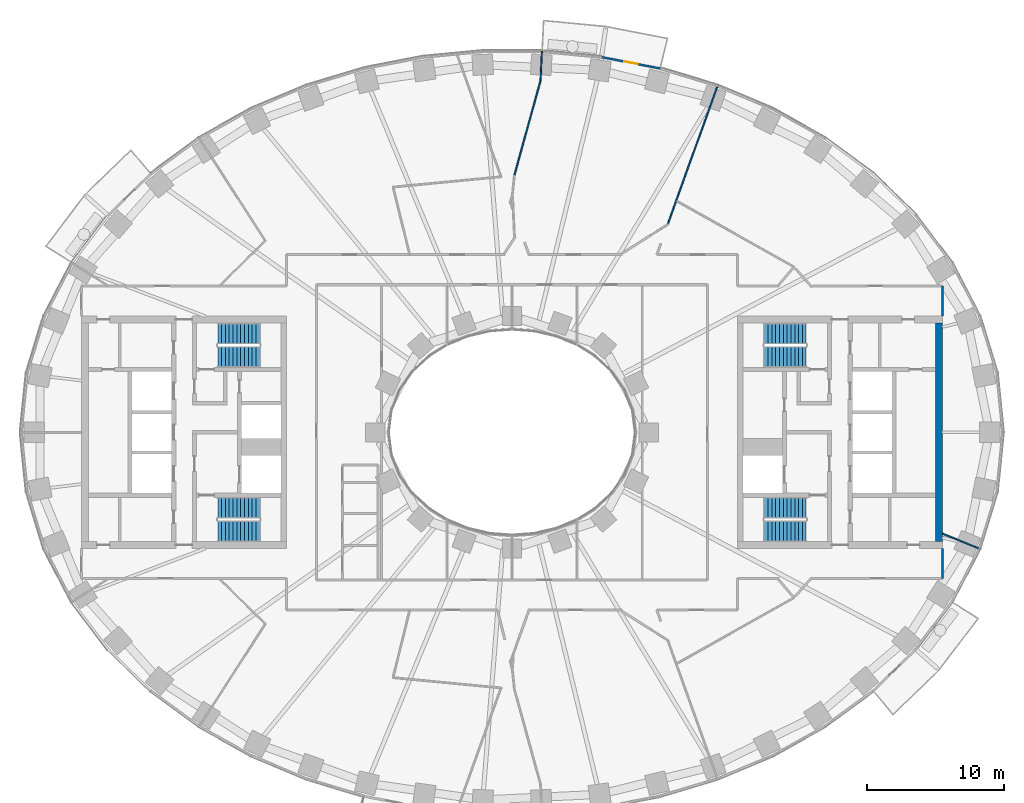
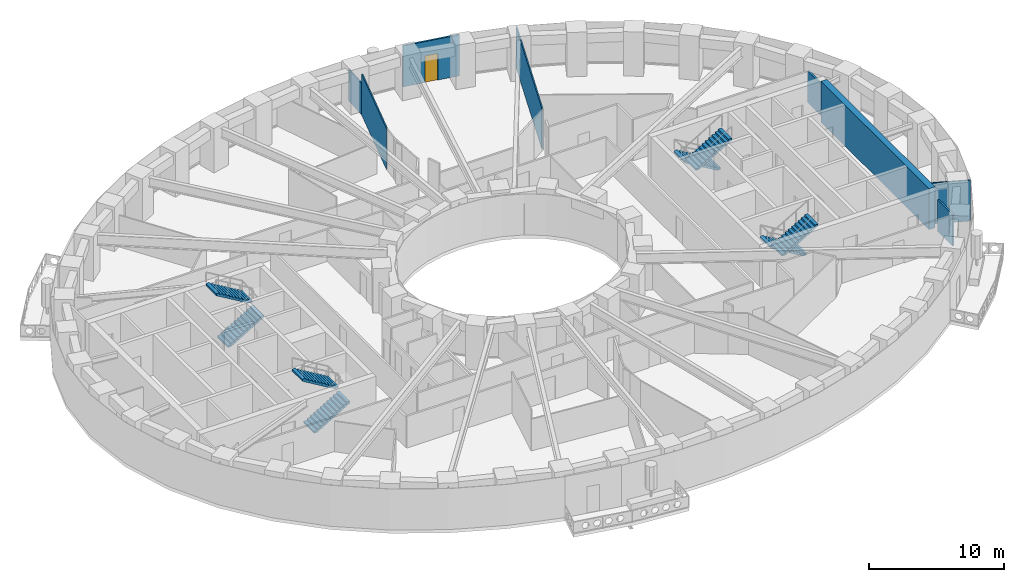
# One storey, part 7 of 16: 8 stair flights, 8 walls, 1 door, 1 opening, 4 elements without a shape of their own.
"""IFC4 building model written with IfcOpenShell, lengths in metres."""

from ifc_helpers import new_model, si_unit, direction, frame, frame_2d, origin, place, context, subcontext, project, spatial, polyline, rectangle, outline, extrude, material, layer, layer_set, type_object, element, fill, aggregate, save


model = new_model("IFC4")

# Units and contexts
model_context = context("Model", 3, precision=1e-05, world=origin(), true_north=direction((0.0, 1.0)))
body_context = subcontext(model_context, "Body", "Model", "MODEL_VIEW")
ifc_project = project(units=[si_unit("LENGTHUNIT", "METRE"), si_unit("AREAUNIT", "SQUARE_METRE"), si_unit("VOLUMEUNIT", "CUBIC_METRE"), si_unit("PLANEANGLEUNIT", "RADIAN"), si_unit("MASSUNIT", "GRAM", prefix="KILO")], contexts=[model_context])

# Site, building, storey
site_placement = place(None, origin())
site = spatial("IfcSite", under=ifc_project, at=site_placement, CompositionType="ELEMENT")
building_placement = place(site_placement, origin())
building = spatial("IfcBuilding", under=site, at=building_placement, Name="Noorbagh Ring Tower", CompositionType="ELEMENT")
storey_placement = place(building_placement, frame((0.0, 0.0, 46.5)))
storey = spatial("IfcBuildingStorey", under=building, at=storey_placement, Name="L09", CompositionType="ELEMENT", Elevation=46.5)

# Walls
ifc_material_1 = material(Name="Concrete C70/85", Category="concrete")
ifc_layer_1 = layer(ifc_material_1, 0.5)
ifc_layer_set_1 = layer_set([ifc_layer_1], Name="Concrete C70/85")
wall_type_1 = type_object("IfcWallType", Name="CORE-WALL-500-C70-85-EI240", PredefinedType="SHEAR", material=ifc_layer_set_1)
wall_1_placement = place(storey_placement, frame((31.25, -8.0, 0.0), z_axis=(0.0, 0.0, 1.0), x_axis=(0.0, 1.0, 0.0)))
element("IfcWall", 1, at=wall_1_placement, inside=storey, type_object=wall_type_1, Name="Core wall E", PredefinedType="SHEAR", context=body_context, shape_type="SweptSolid", body=[
    extrude(rectangle(XDim=16.0, YDim=0.5, at=frame_2d((8.0, 0.0))), origin(), (0.0, 0.0, 1.0), 3.699951171875),
])
ifc_material_2 = material(Name="Gypsum board on steel studs", Category="steel")
ifc_layer_2 = layer(ifc_material_2, 0.14990234375)
ifc_layer_set_2 = layer_set([ifc_layer_2], Name="Gypsum board on steel studs")
wall_type_2 = type_object("IfcWallType", Name="CORRIDOR PARTITION 150 EI 30", PredefinedType="PARTITIONING", material=ifc_layer_set_2)
for number, where, z_axis, x_axis, name in (
    (2, (31.5, -10.699951171875, 0.0), (0.0, 0.0, 1.0), (0.0, 1.0, 0.0), "L09/wall/P84"),
    (3, (31.5, 8.5, 0.0), (0.0, 0.0, 1.0), (0.0, 1.0, 0.0), "L09/wall/P86"),
):
    element("IfcWall", number, at=place(storey_placement, frame(where, z_axis=z_axis, x_axis=x_axis)), inside=storey, type_object=wall_type_2, Name=name, PredefinedType="PARTITIONING", context=body_context, shape_type="SweptSolid", body=[
        extrude(rectangle(XDim=2.199951171875, YDim=0.14990234375, at=frame_2d((1.10009765625, 0.0))), origin(), (0.0, 0.0, 1.0), 2.85009765625),
    ])

# Wall, opening, door
ifc_material_3 = material(Name="Insulated aluminium clad panel", Category="aluminium")
ifc_layer_3 = layer(ifc_material_3, 0.14990234375)
ifc_layer_set_3 = layer_set([ifc_layer_3], Name="Insulated aluminium clad panel")
wall_type_3 = type_object("IfcWallType", Name="ENV-WALL-DOOR", PredefinedType="STANDARD", material=ifc_layer_set_3)
wall_2_placement = place(storey_placement, frame((10.87060546875, 26.616943359375, 0.0), z_axis=(0.0, 0.0, 1.0), x_axis=(-0.981631174778, 0.190788460615, 0.0)))
wall_2 = element("IfcWall", 4, at=wall_2_placement, inside=storey, type_object=wall_type_3, Name="Balcony door wall chord 10", PredefinedType="STANDARD", context=body_context, shape_type="SweptSolid", body=[
    extrude(rectangle(XDim=4.42626953125, YDim=0.14990234375, at=frame_2d((2.213134765625, 0.0))), origin(), (0.0, 0.0, 1.0), 3.699951171875),
])
opening_placement = place(wall_2_placement, frame((1.713134765625, 0.0, 0.0)))
opening = element("IfcOpeningElement", 5, at=opening_placement, cuts=wall_2, Name="Opening D-BL", PredefinedType="OPENING", context=body_context, shape_type="SweptSolid", body=[
    extrude(rectangle(XDim=1.0, YDim=2.39990234375, at=frame_2d((0.5, 1.199951171875))), frame((0.0, 0.0849609375, 0.0), z_axis=(0.0, -1.0, 0.0), x_axis=(1.0, 0.0, 0.0)), (0.0, 0.0, 1.0), 0.169921875),
])
ifc_material_4 = material(Name="Aluminium and glass", Category="aluminium")
door_type = type_object("IfcDoorType", Name="ENV-DOOR-BALCONY", OperationType="SINGLE_SWING_LEFT", PredefinedType="DOOR", material=ifc_material_4)
door_placement = place(opening_placement, origin())
door = element("IfcDoor", 6, at=door_placement, inside=storey, type_object=door_type, Name="Balcony door chord 10", OperationType="SINGLE_SWING_RIGHT", OverallHeight=2.39990234375, OverallWidth=1.0, PredefinedType="DOOR", context=body_context, shape_type="SweptSolid", body=[
    extrude(rectangle(XDim=1.0, YDim=2.39990234375, at=frame_2d((0.5, 1.199951171875))), frame((0.0, 0.02490234375, 0.0), z_axis=(0.0, -1.0, 0.0), x_axis=(1.0, 0.0, 0.0)), (0.0, 0.0, 1.0), 0.050048828125),
])
fill(opening, door)

# Walls
ifc_material_5 = material(Name="Gypsum board on steel studs", Category="steel")
ifc_layer_4 = layer(ifc_material_5, 0.10009765625)
ifc_layer_set_4 = layer_set([ifc_layer_4], Name="Gypsum board on steel studs")
wall_type_4 = type_object("IfcWallType", Name="PARTITION 100 GYPSUM", PredefinedType="PARTITIONING", material=ifc_layer_set_4)
wall_3_placement = place(storey_placement, frame((0.172119140625, 18.7958984375, 0.0), z_axis=(0.0, 0.0, 1.0), x_axis=(0.265628515821, 0.964075459486, 0.0)))
element("IfcWall", 7, at=wall_3_placement, inside=storey, type_object=wall_type_4, Name="L09/wall/P51", PredefinedType="PARTITIONING", context=body_context, shape_type="SweptSolid", body=[
    extrude(rectangle(XDim=7.212158203125, YDim=0.10009765625, at=frame_2d((3.60595703125, 0.0))), origin(), (0.0, 0.0, 1.0), 3.699951171875),
])
wall_4_placement = place(storey_placement, frame((2.089111328125, 25.77001953125, 0.0), z_axis=(0.0, 0.0, 1.0), x_axis=(0.04733101585, 0.99887925944, 0.0)))
element("IfcWall", 8, at=wall_4_placement, inside=storey, type_object=wall_type_4, Name="L09/wall/P57", PredefinedType="PARTITIONING", context=body_context, shape_type="SweptSolid", body=[
    extrude(rectangle(XDim=2.13037109375, YDim=0.10009765625, at=frame_2d((1.065185546875, 0.0))), origin(), (0.0, 0.0, 1.0), 2.85009765625),
])
wall_5_placement = place(storey_placement, frame((11.4169921875, 15.281982421875, 0.0), z_axis=(0.0, 0.0, 1.0), x_axis=(0.338283704349, 0.941044172912, 0.0)))
element("IfcWall", 9, at=wall_5_placement, inside=storey, type_object=wall_type_4, Name="L09/wall/P70", PredefinedType="PARTITIONING", context=body_context, shape_type="SweptSolid", body=[
    extrude(rectangle(XDim=10.73388671875, YDim=0.10009765625, at=frame_2d((5.366943359375, 0.0))), origin(), (0.0, 0.0, 1.0), 3.699951171875),
])
wall_6_placement = place(storey_placement, frame((31.5, -7.409912109375, 0.0), z_axis=(0.0, 0.0, 1.0), x_axis=(0.925344112436, -0.379128307542, 0.0)))
element("IfcWall", 10, at=wall_6_placement, inside=storey, type_object=wall_type_4, Name="L09/wall/P85", PredefinedType="PARTITIONING", context=body_context, shape_type="SweptSolid", body=[
    extrude(rectangle(XDim=2.954345703125, YDim=0.10009765625, at=frame_2d((1.47705078125, 0.0))), origin(), (0.0, 0.0, 1.0), 3.699951171875),
])

# Stair, stair flights
ifc_material_6 = material(Name="Concrete C40/50", Category="concrete")
stair_type = type_object("IfcStairType", Name="CORE-STAIR", PredefinedType="HALF_TURN_STAIR", material=ifc_material_6)
stair_1_placement = place(storey_placement, origin())
stair_1 = element("IfcStair", 11, at=stair_1_placement, inside=storey, type_object=stair_type, Name="L09 Exit stair ST1", PredefinedType="HALF_TURN_STAIR")
ifc_material_7 = material(Name="Concrete C40/50", Category="concrete")
stair_flight_type = type_object("IfcStairFlightType", Name="CORE-STAIR-FLIGHT", PredefinedType="STRAIGHT", material=ifc_material_7)
stair_flight_1_placement = place(storey_placement, frame((-21.530029296875, 5.52490234375, 0.0), z_axis=(0.0, 0.0, 1.0), x_axis=(1.0, 0.0, 0.0)))
stair_flight_1 = element("IfcStairFlight", 12, at=stair_flight_1_placement, type_object=stair_flight_type, Name="ST1 flight 1", NumberOfRisers=12, NumberOfTreads=11, PredefinedType="STRAIGHT", RiserHeight=0.166666667, TreadLength=0.28, context=body_context, shape_type="SweptSolid", body=[
    extrude(outline(polyline([(0.0, 0.0), (0.0, 0.166748046875), (0.280029296875, 0.166748046875), (0.280029296875, 0.333251953125), (0.56005859375, 0.333251953125), (0.56005859375, 0.5), (0.840087890625, 0.5), (0.840087890625, 0.666748046875), (1.1201171875, 0.666748046875), (1.1201171875, 0.833251953125), (1.39990234375, 0.833251953125), (1.39990234375, 1.0), (1.679931640625, 1.0), (1.679931640625, 1.166748046875), (1.9599609375, 1.166748046875), (1.9599609375, 1.333251953125), (2.239990234375, 1.333251953125), (2.239990234375, 1.5), (2.52001953125, 1.5), (2.52001953125, 1.666748046875), (2.800048828125, 1.666748046875), (2.800048828125, 1.833251953125), (3.080078125, 1.833251953125), (3.080078125, 2.0), (3.080078125, 1.658935546875), (0.29296875, 0.0), (0.0, 0.0)])), frame((0.0, 0.77490234375, 0.0), z_axis=(0.0, -1.0, 0.0), x_axis=(1.0, 0.0, 0.0)), (0.0, 0.0, 1.0), 1.550048828125),
])
stair_flight_2_placement = place(storey_placement, frame((-18.449951171875, 7.22509765625, 2.0), z_axis=(0.0, 0.0, 1.0), x_axis=(-1.0, 0.0, 0.0)))
stair_flight_2 = element("IfcStairFlight", 13, at=stair_flight_2_placement, type_object=stair_flight_type, Name="ST1 flight 2", NumberOfRisers=12, NumberOfTreads=11, PredefinedType="STRAIGHT", RiserHeight=0.166666667, TreadLength=0.28, context=body_context, shape_type="SweptSolid", body=[
    extrude(outline(polyline([(0.0, 0.0), (0.0, 0.166748046875), (0.280029296875, 0.166748046875), (0.280029296875, 0.333251953125), (0.56005859375, 0.333251953125), (0.56005859375, 0.5), (0.840087890625, 0.5), (0.840087890625, 0.666748046875), (1.1201171875, 0.666748046875), (1.1201171875, 0.833251953125), (1.39990234375, 0.833251953125), (1.39990234375, 1.0), (1.679931640625, 1.0), (1.679931640625, 1.166748046875), (1.9599609375, 1.166748046875), (1.9599609375, 1.333251953125), (2.239990234375, 1.333251953125), (2.239990234375, 1.5), (2.52001953125, 1.5), (2.52001953125, 1.666748046875), (2.800048828125, 1.666748046875), (2.800048828125, 1.833251953125), (3.080078125, 1.833251953125), (3.080078125, 2.0), (3.080078125, 1.658935546875), (0.29296875, 0.0), (0.0, 0.0)])), frame((0.0, 0.77490234375, 0.0), z_axis=(0.0, -1.0, 0.0), x_axis=(1.0, 0.0, 0.0)), (0.0, 0.0, 1.0), 1.550048828125),
])
aggregate(stair_1, [stair_flight_1, stair_flight_2])

stair_2_placement = place(storey_placement, origin())
stair_2 = element("IfcStair", 14, at=stair_2_placement, inside=storey, type_object=stair_type, Name="L09 Exit stair ST2", PredefinedType="HALF_TURN_STAIR")
stair_flight_3_placement = place(storey_placement, frame((-21.530029296875, -7.22509765625, 0.0), z_axis=(0.0, 0.0, 1.0), x_axis=(1.0, 0.0, 0.0)))
stair_flight_3 = element("IfcStairFlight", 15, at=stair_flight_3_placement, type_object=stair_flight_type, Name="ST2 flight 1", NumberOfRisers=12, NumberOfTreads=11, PredefinedType="STRAIGHT", RiserHeight=0.166666667, TreadLength=0.28, context=body_context, shape_type="SweptSolid", body=[
    extrude(outline(polyline([(0.0, 0.0), (0.0, 0.166748046875), (0.280029296875, 0.166748046875), (0.280029296875, 0.333251953125), (0.56005859375, 0.333251953125), (0.56005859375, 0.5), (0.840087890625, 0.5), (0.840087890625, 0.666748046875), (1.1201171875, 0.666748046875), (1.1201171875, 0.833251953125), (1.39990234375, 0.833251953125), (1.39990234375, 1.0), (1.679931640625, 1.0), (1.679931640625, 1.166748046875), (1.9599609375, 1.166748046875), (1.9599609375, 1.333251953125), (2.239990234375, 1.333251953125), (2.239990234375, 1.5), (2.52001953125, 1.5), (2.52001953125, 1.666748046875), (2.800048828125, 1.666748046875), (2.800048828125, 1.833251953125), (3.080078125, 1.833251953125), (3.080078125, 2.0), (3.080078125, 1.658935546875), (0.29296875, 0.0), (0.0, 0.0)])), frame((0.0, 0.77490234375, 0.0), z_axis=(0.0, -1.0, 0.0), x_axis=(1.0, 0.0, 0.0)), (0.0, 0.0, 1.0), 1.550048828125),
])
stair_flight_4_placement = place(storey_placement, frame((-18.449951171875, -5.52490234375, 2.0), z_axis=(0.0, 0.0, 1.0), x_axis=(-1.0, 0.0, 0.0)))
stair_flight_4 = element("IfcStairFlight", 16, at=stair_flight_4_placement, type_object=stair_flight_type, Name="ST2 flight 2", NumberOfRisers=12, NumberOfTreads=11, PredefinedType="STRAIGHT", RiserHeight=0.166666667, TreadLength=0.28, context=body_context, shape_type="SweptSolid", body=[
    extrude(outline(polyline([(0.0, 0.0), (0.0, 0.166748046875), (0.280029296875, 0.166748046875), (0.280029296875, 0.333251953125), (0.56005859375, 0.333251953125), (0.56005859375, 0.5), (0.840087890625, 0.5), (0.840087890625, 0.666748046875), (1.1201171875, 0.666748046875), (1.1201171875, 0.833251953125), (1.39990234375, 0.833251953125), (1.39990234375, 1.0), (1.679931640625, 1.0), (1.679931640625, 1.166748046875), (1.9599609375, 1.166748046875), (1.9599609375, 1.333251953125), (2.239990234375, 1.333251953125), (2.239990234375, 1.5), (2.52001953125, 1.5), (2.52001953125, 1.666748046875), (2.800048828125, 1.666748046875), (2.800048828125, 1.833251953125), (3.080078125, 1.833251953125), (3.080078125, 2.0), (3.080078125, 1.658935546875), (0.29296875, 0.0), (0.0, 0.0)])), frame((0.0, 0.77490234375, 0.0), z_axis=(0.0, -1.0, 0.0), x_axis=(1.0, 0.0, 0.0)), (0.0, 0.0, 1.0), 1.550048828125),
])
aggregate(stair_2, [stair_flight_3, stair_flight_4])

stair_3_placement = place(storey_placement, origin())
stair_3 = element("IfcStair", 17, at=stair_3_placement, inside=storey, type_object=stair_type, Name="L09 Exit stair ST3", PredefinedType="HALF_TURN_STAIR")
stair_flight_5_placement = place(storey_placement, frame((21.530029296875, 7.22509765625, 0.0), z_axis=(0.0, 0.0, 1.0), x_axis=(-1.0, 0.0, 0.0)))
stair_flight_5 = element("IfcStairFlight", 18, at=stair_flight_5_placement, type_object=stair_flight_type, Name="ST3 flight 1", NumberOfRisers=12, NumberOfTreads=11, PredefinedType="STRAIGHT", RiserHeight=0.166666667, TreadLength=0.28, context=body_context, shape_type="SweptSolid", body=[
    extrude(outline(polyline([(0.0, 0.0), (0.0, 0.166748046875), (0.280029296875, 0.166748046875), (0.280029296875, 0.333251953125), (0.56005859375, 0.333251953125), (0.56005859375, 0.5), (0.840087890625, 0.5), (0.840087890625, 0.666748046875), (1.1201171875, 0.666748046875), (1.1201171875, 0.833251953125), (1.39990234375, 0.833251953125), (1.39990234375, 1.0), (1.679931640625, 1.0), (1.679931640625, 1.166748046875), (1.9599609375, 1.166748046875), (1.9599609375, 1.333251953125), (2.239990234375, 1.333251953125), (2.239990234375, 1.5), (2.52001953125, 1.5), (2.52001953125, 1.666748046875), (2.800048828125, 1.666748046875), (2.800048828125, 1.833251953125), (3.080078125, 1.833251953125), (3.080078125, 2.0), (3.080078125, 1.658935546875), (0.29296875, 0.0), (0.0, 0.0)])), frame((0.0, 0.77490234375, 0.0), z_axis=(0.0, -1.0, 0.0), x_axis=(1.0, 0.0, 0.0)), (0.0, 0.0, 1.0), 1.550048828125),
])
stair_flight_6_placement = place(storey_placement, frame((18.449951171875, 5.52490234375, 2.0), z_axis=(0.0, 0.0, 1.0), x_axis=(1.0, 0.0, 0.0)))
stair_flight_6 = element("IfcStairFlight", 19, at=stair_flight_6_placement, type_object=stair_flight_type, Name="ST3 flight 2", NumberOfRisers=12, NumberOfTreads=11, PredefinedType="STRAIGHT", RiserHeight=0.166666667, TreadLength=0.28, context=body_context, shape_type="SweptSolid", body=[
    extrude(outline(polyline([(0.0, 0.0), (0.0, 0.166748046875), (0.280029296875, 0.166748046875), (0.280029296875, 0.333251953125), (0.56005859375, 0.333251953125), (0.56005859375, 0.5), (0.840087890625, 0.5), (0.840087890625, 0.666748046875), (1.1201171875, 0.666748046875), (1.1201171875, 0.833251953125), (1.39990234375, 0.833251953125), (1.39990234375, 1.0), (1.679931640625, 1.0), (1.679931640625, 1.166748046875), (1.9599609375, 1.166748046875), (1.9599609375, 1.333251953125), (2.239990234375, 1.333251953125), (2.239990234375, 1.5), (2.52001953125, 1.5), (2.52001953125, 1.666748046875), (2.800048828125, 1.666748046875), (2.800048828125, 1.833251953125), (3.080078125, 1.833251953125), (3.080078125, 2.0), (3.080078125, 1.658935546875), (0.29296875, 0.0), (0.0, 0.0)])), frame((0.0, 0.77490234375, 0.0), z_axis=(0.0, -1.0, 0.0), x_axis=(1.0, 0.0, 0.0)), (0.0, 0.0, 1.0), 1.550048828125),
])
aggregate(stair_3, [stair_flight_5, stair_flight_6])

stair_4_placement = place(storey_placement, origin())
stair_4 = element("IfcStair", 20, at=stair_4_placement, inside=storey, type_object=stair_type, Name="L09 Exit stair ST4", PredefinedType="HALF_TURN_STAIR")
stair_flight_7_placement = place(storey_placement, frame((21.530029296875, -5.52490234375, 0.0), z_axis=(0.0, 0.0, 1.0), x_axis=(-1.0, 0.0, 0.0)))
stair_flight_7 = element("IfcStairFlight", 21, at=stair_flight_7_placement, type_object=stair_flight_type, Name="ST4 flight 1", NumberOfRisers=12, NumberOfTreads=11, PredefinedType="STRAIGHT", RiserHeight=0.166666667, TreadLength=0.28, context=body_context, shape_type="SweptSolid", body=[
    extrude(outline(polyline([(0.0, 0.0), (0.0, 0.166748046875), (0.280029296875, 0.166748046875), (0.280029296875, 0.333251953125), (0.56005859375, 0.333251953125), (0.56005859375, 0.5), (0.840087890625, 0.5), (0.840087890625, 0.666748046875), (1.1201171875, 0.666748046875), (1.1201171875, 0.833251953125), (1.39990234375, 0.833251953125), (1.39990234375, 1.0), (1.679931640625, 1.0), (1.679931640625, 1.166748046875), (1.9599609375, 1.166748046875), (1.9599609375, 1.333251953125), (2.239990234375, 1.333251953125), (2.239990234375, 1.5), (2.52001953125, 1.5), (2.52001953125, 1.666748046875), (2.800048828125, 1.666748046875), (2.800048828125, 1.833251953125), (3.080078125, 1.833251953125), (3.080078125, 2.0), (3.080078125, 1.658935546875), (0.29296875, 0.0), (0.0, 0.0)])), frame((0.0, 0.77490234375, 0.0), z_axis=(0.0, -1.0, 0.0), x_axis=(1.0, 0.0, 0.0)), (0.0, 0.0, 1.0), 1.550048828125),
])
stair_flight_8_placement = place(storey_placement, frame((18.449951171875, -7.22509765625, 2.0), z_axis=(0.0, 0.0, 1.0), x_axis=(1.0, 0.0, 0.0)))
stair_flight_8 = element("IfcStairFlight", 22, at=stair_flight_8_placement, type_object=stair_flight_type, Name="ST4 flight 2", NumberOfRisers=12, NumberOfTreads=11, PredefinedType="STRAIGHT", RiserHeight=0.166666667, TreadLength=0.28, context=body_context, shape_type="SweptSolid", body=[
    extrude(outline(polyline([(0.0, 0.0), (0.0, 0.166748046875), (0.280029296875, 0.166748046875), (0.280029296875, 0.333251953125), (0.56005859375, 0.333251953125), (0.56005859375, 0.5), (0.840087890625, 0.5), (0.840087890625, 0.666748046875), (1.1201171875, 0.666748046875), (1.1201171875, 0.833251953125), (1.39990234375, 0.833251953125), (1.39990234375, 1.0), (1.679931640625, 1.0), (1.679931640625, 1.166748046875), (1.9599609375, 1.166748046875), (1.9599609375, 1.333251953125), (2.239990234375, 1.333251953125), (2.239990234375, 1.5), (2.52001953125, 1.5), (2.52001953125, 1.666748046875), (2.800048828125, 1.666748046875), (2.800048828125, 1.833251953125), (3.080078125, 1.833251953125), (3.080078125, 2.0), (3.080078125, 1.658935546875), (0.29296875, 0.0), (0.0, 0.0)])), frame((0.0, 0.77490234375, 0.0), z_axis=(0.0, -1.0, 0.0), x_axis=(1.0, 0.0, 0.0)), (0.0, 0.0, 1.0), 1.550048828125),
])
aggregate(stair_4, [stair_flight_7, stair_flight_8])

save(model, "model.ifc")
